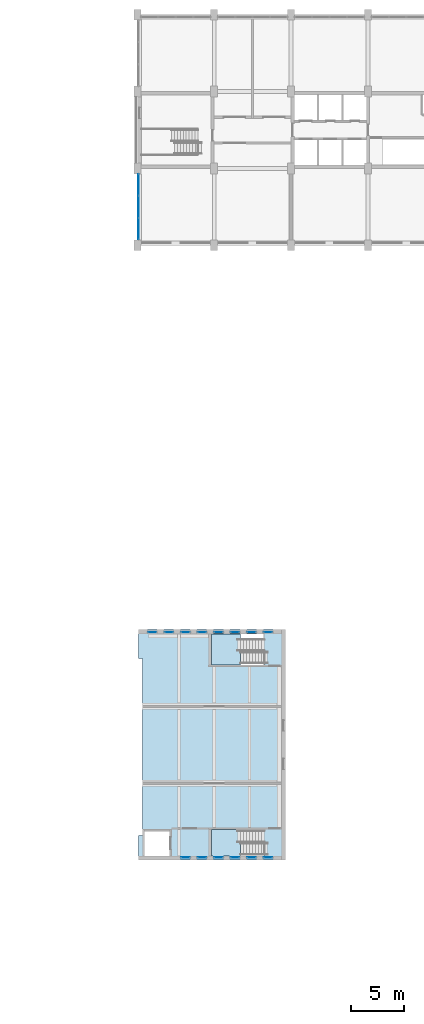
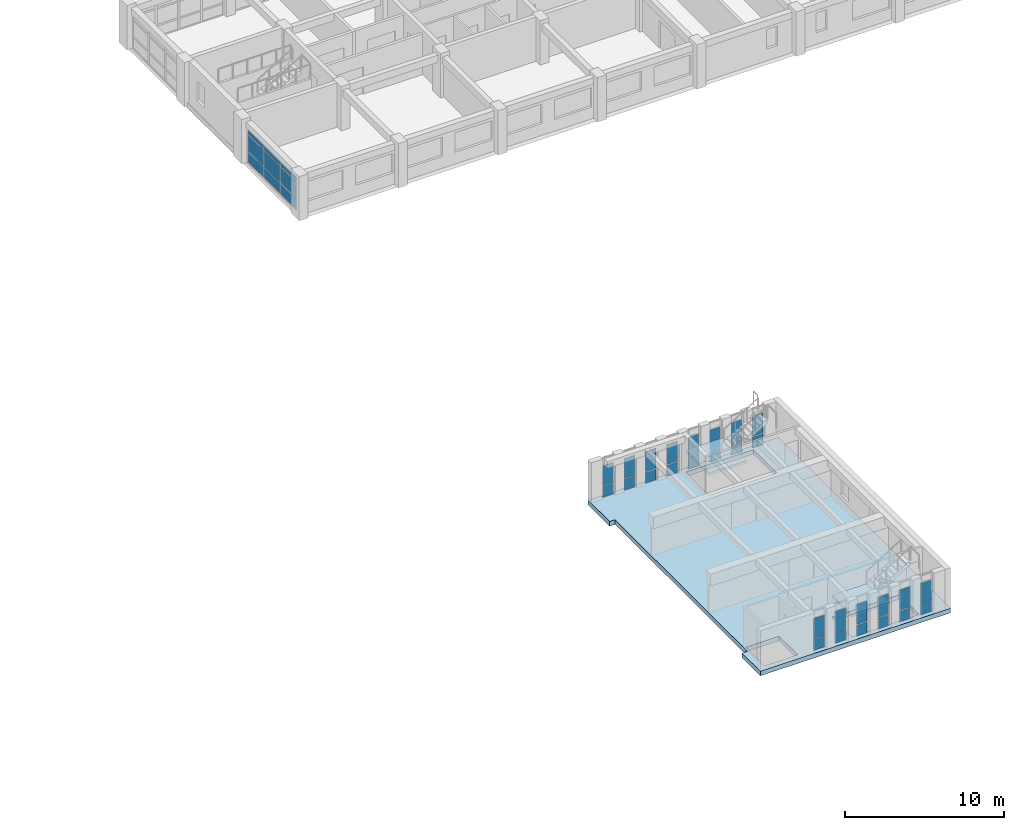
# One storey, part 11 of 19: 37 plates, 3 slabs, 17 elements without a shape of their own.
"""IFC4 building model written with IfcOpenShell, lengths in metres."""

from ifc_helpers import new_model, si_unit, direction, frame, origin, origin_2d, place, context, subcontext, project, spatial, polyline, rectangle, outline, extrude, material, layer, layer_set, type_object, element, aggregate, save


model = new_model("IFC4")

# Units and contexts
model_context = context("Model", 3, precision=1e-05, world=origin(), true_north=direction((0.0, 1.0)))
body_context = subcontext(model_context, "Body", "Model", "MODEL_VIEW")
ifc_project = project(units=[si_unit("LENGTHUNIT", "METRE"), si_unit("AREAUNIT", "SQUARE_METRE"), si_unit("VOLUMEUNIT", "CUBIC_METRE"), si_unit("PLANEANGLEUNIT", "RADIAN"), si_unit("MASSUNIT", "GRAM", prefix="KILO")], contexts=[model_context])

# Site, building, storey
site_placement = place(None, origin())
site = spatial("IfcSite", under=ifc_project, at=site_placement, CompositionType="ELEMENT")
building_placement = place(site_placement, origin())
building = spatial("IfcBuilding", under=site, at=building_placement, Name="Vermilion Court Aquatics Centre", CompositionType="ELEMENT")
storey_placement = place(building_placement, frame((0.0, 0.0, 19.89990234375)))
storey = spatial("IfcBuildingStorey", under=building, at=storey_placement, Name="L04", CompositionType="ELEMENT", Elevation=19.89990234375)

# Slab
ifc_material_1 = material(Name="Concrete 8000 psi", Category="concrete")
ifc_layer_1 = layer(ifc_material_1, 0.35009765625)
ifc_layer_set_1 = layer_set([ifc_layer_1], Name="Diving Tower floor slab 350")
slab_type_1 = type_object("IfcSlabType", Name="Diving Tower floor slab 350", PredefinedType="FLOOR", material=ifc_layer_set_1)
slab_1_placement = place(storey_placement, frame((0.0, 0.0, -0.349853515625)))
element("IfcSlab", 1, at=slab_1_placement, inside=storey, type_object=slab_type_1, Name="Diving Tower floor slab L04", PredefinedType="FLOOR", context=body_context, shape_type="SweptSolid", body=[
    extrude(outline(polyline([(144.110107421875, 36.0), (157.89990234375, 36.0), (157.89990234375, 57.60009765625), (144.110107421875, 57.60009765625), (144.110107421875, 54.89990234375), (144.5, 54.89990234375), (144.5, 38.300048828125), (144.110107421875, 38.300048828125), (144.110107421875, 36.0)]), holes=[polyline([(144.64990234375, 36.39990234375), (147.050048828125, 36.39990234375), (147.050048828125, 38.72509765625), (144.64990234375, 38.72509765625), (144.64990234375, 36.39990234375)]), polyline([(150.949951171875, 36.39990234375), (155.85009765625, 36.39990234375), (155.85009765625, 38.875), (150.949951171875, 38.875), (150.949951171875, 36.39990234375)]), polyline([(150.949951171875, 54.27490234375), (155.85009765625, 54.27490234375), (155.85009765625, 57.199951171875), (150.949951171875, 57.199951171875), (150.949951171875, 54.27490234375)])]), origin(), (0.0, 0.0, 1.0), 0.349853515625),
])

# Curtain wall, plates
ifc_material_2 = material(Name="Aluminium 6063-T5", Category="aluminium")
curtain_wall_type_1 = type_object("IfcCurtainWallType", Name="Diving Tower slot curtain wall 900 module", PredefinedType="NOTDEFINED", material=ifc_material_2)
curtain_wall_1_placement = place(storey_placement, origin())
curtain_wall_1 = element("IfcCurtainWall", 2, at=curtain_wall_1_placement, inside=storey, type_object=curtain_wall_type_1, Name="Diving Tower slot window north 1 L04", PredefinedType="NOTDEFINED")
ifc_material_3 = material(Name="Glazing", Category="glass")
ifc_layer_2 = layer(ifc_material_3, 0.02392578125)
ifc_layer_set_2 = layer_set([ifc_layer_2], Name="Diving Tower slot glazing panel 24")
plate_type_1 = type_object("IfcPlateType", Name="Diving Tower slot glazing panel 24", PredefinedType="CURTAIN_PANEL", material=ifc_layer_set_2)
plate_1_placement = place(storey_placement, frame((145.39990234375, 57.35009765625, 0.06005859375), z_axis=(0.0, 0.0, 1.0), x_axis=(1.0, 0.0, 0.0)))
plate_1 = element("IfcPlate", 3, at=plate_1_placement, type_object=plate_type_1, Name="UCW3 panel 1.1", PredefinedType="CURTAIN_PANEL", context=body_context, shape_type="SweptSolid", body=[
    extrude(rectangle(XDim=0.780029296875, YDim=0.028076171875, at=origin_2d()), origin(), (0.0, 0.0, 1.0), 0.81005859375),
])
plate_2_placement = place(storey_placement, frame((145.39990234375, 57.35009765625, 0.93017578125), z_axis=(0.0, 0.0, 1.0), x_axis=(1.0, 0.0, 0.0)))
plate_2 = element("IfcPlate", 4, at=plate_2_placement, type_object=plate_type_1, Name="UCW3 panel 1.2", PredefinedType="CURTAIN_PANEL", context=body_context, shape_type="SweptSolid", body=[
    extrude(rectangle(XDim=0.780029296875, YDim=0.028076171875, at=origin_2d()), origin(), (0.0, 0.0, 1.0), 1.5400390625),
])
aggregate(curtain_wall_1, [plate_1, plate_2])

curtain_wall_2_placement = place(storey_placement, origin())
curtain_wall_2 = element("IfcCurtainWall", 5, at=curtain_wall_2_placement, inside=storey, type_object=curtain_wall_type_1, Name="Diving Tower slot window north 2 L04", PredefinedType="NOTDEFINED")
plate_3_placement = place(storey_placement, frame((146.949951171875, 57.35009765625, 0.06005859375), z_axis=(0.0, 0.0, 1.0), x_axis=(1.0, 0.0, 0.0)))
plate_3 = element("IfcPlate", 6, at=plate_3_placement, type_object=plate_type_1, Name="UCW3 panel 1.1", PredefinedType="CURTAIN_PANEL", context=body_context, shape_type="SweptSolid", body=[
    extrude(rectangle(XDim=0.780029296875, YDim=0.028076171875, at=origin_2d()), origin(), (0.0, 0.0, 1.0), 0.81005859375),
])
plate_4_placement = place(storey_placement, frame((146.949951171875, 57.35009765625, 0.93017578125), z_axis=(0.0, 0.0, 1.0), x_axis=(1.0, 0.0, 0.0)))
plate_4 = element("IfcPlate", 7, at=plate_4_placement, type_object=plate_type_1, Name="UCW3 panel 1.2", PredefinedType="CURTAIN_PANEL", context=body_context, shape_type="SweptSolid", body=[
    extrude(rectangle(XDim=0.780029296875, YDim=0.028076171875, at=origin_2d()), origin(), (0.0, 0.0, 1.0), 1.5400390625),
])
aggregate(curtain_wall_2, [plate_3, plate_4])

curtain_wall_3_placement = place(storey_placement, origin())
curtain_wall_3 = element("IfcCurtainWall", 8, at=curtain_wall_3_placement, inside=storey, type_object=curtain_wall_type_1, Name="Diving Tower slot window north 3 L04", PredefinedType="NOTDEFINED")
plate_5_placement = place(storey_placement, frame((148.5, 57.35009765625, 0.06005859375), z_axis=(0.0, 0.0, 1.0), x_axis=(1.0, 0.0, 0.0)))
plate_5 = element("IfcPlate", 9, at=plate_5_placement, type_object=plate_type_1, Name="UCW3 panel 1.1", PredefinedType="CURTAIN_PANEL", context=body_context, shape_type="SweptSolid", body=[
    extrude(rectangle(XDim=0.780029296875, YDim=0.028076171875, at=origin_2d()), origin(), (0.0, 0.0, 1.0), 0.81005859375),
])
plate_6_placement = place(storey_placement, frame((148.5, 57.35009765625, 0.93017578125), z_axis=(0.0, 0.0, 1.0), x_axis=(1.0, 0.0, 0.0)))
plate_6 = element("IfcPlate", 10, at=plate_6_placement, type_object=plate_type_1, Name="UCW3 panel 1.2", PredefinedType="CURTAIN_PANEL", context=body_context, shape_type="SweptSolid", body=[
    extrude(rectangle(XDim=0.780029296875, YDim=0.028076171875, at=origin_2d()), origin(), (0.0, 0.0, 1.0), 1.5400390625),
])
aggregate(curtain_wall_3, [plate_5, plate_6])

curtain_wall_4_placement = place(storey_placement, origin())
curtain_wall_4 = element("IfcCurtainWall", 11, at=curtain_wall_4_placement, inside=storey, type_object=curtain_wall_type_1, Name="Diving Tower slot window north 4 L04", PredefinedType="NOTDEFINED")
plate_7_placement = place(storey_placement, frame((150.050048828125, 57.35009765625, 0.06005859375), z_axis=(0.0, 0.0, 1.0), x_axis=(1.0, 0.0, 0.0)))
plate_7 = element("IfcPlate", 12, at=plate_7_placement, type_object=plate_type_1, Name="UCW3 panel 1.1", PredefinedType="CURTAIN_PANEL", context=body_context, shape_type="SweptSolid", body=[
    extrude(rectangle(XDim=0.780029296875, YDim=0.028076171875, at=origin_2d()), origin(), (0.0, 0.0, 1.0), 0.81005859375),
])
plate_8_placement = place(storey_placement, frame((150.050048828125, 57.35009765625, 0.93017578125), z_axis=(0.0, 0.0, 1.0), x_axis=(1.0, 0.0, 0.0)))
plate_8 = element("IfcPlate", 13, at=plate_8_placement, type_object=plate_type_1, Name="UCW3 panel 1.2", PredefinedType="CURTAIN_PANEL", context=body_context, shape_type="SweptSolid", body=[
    extrude(rectangle(XDim=0.780029296875, YDim=0.028076171875, at=origin_2d()), origin(), (0.0, 0.0, 1.0), 1.5400390625),
])
aggregate(curtain_wall_4, [plate_7, plate_8])

curtain_wall_5_placement = place(storey_placement, origin())
curtain_wall_5 = element("IfcCurtainWall", 14, at=curtain_wall_5_placement, inside=storey, type_object=curtain_wall_type_1, Name="Diving Tower slot window north 5 L04", PredefinedType="NOTDEFINED")
plate_9_placement = place(storey_placement, frame((151.60009765625, 57.35009765625, 0.06005859375), z_axis=(0.0, 0.0, 1.0), x_axis=(1.0, 0.0, 0.0)))
plate_9 = element("IfcPlate", 15, at=plate_9_placement, type_object=plate_type_1, Name="UCW3 panel 1.1", PredefinedType="CURTAIN_PANEL", context=body_context, shape_type="SweptSolid", body=[
    extrude(rectangle(XDim=0.780029296875, YDim=0.028076171875, at=origin_2d()), origin(), (0.0, 0.0, 1.0), 0.81005859375),
])
plate_10_placement = place(storey_placement, frame((151.60009765625, 57.35009765625, 0.93017578125), z_axis=(0.0, 0.0, 1.0), x_axis=(1.0, 0.0, 0.0)))
plate_10 = element("IfcPlate", 16, at=plate_10_placement, type_object=plate_type_1, Name="UCW3 panel 1.2", PredefinedType="CURTAIN_PANEL", context=body_context, shape_type="SweptSolid", body=[
    extrude(rectangle(XDim=0.780029296875, YDim=0.028076171875, at=origin_2d()), origin(), (0.0, 0.0, 1.0), 1.5400390625),
])
aggregate(curtain_wall_5, [plate_9, plate_10])

curtain_wall_6_placement = place(storey_placement, origin())
curtain_wall_6 = element("IfcCurtainWall", 17, at=curtain_wall_6_placement, inside=storey, type_object=curtain_wall_type_1, Name="Diving Tower slot window north 6 L04", PredefinedType="NOTDEFINED")
plate_11_placement = place(storey_placement, frame((153.14990234375, 57.35009765625, 0.06005859375), z_axis=(0.0, 0.0, 1.0), x_axis=(1.0, 0.0, 0.0)))
plate_11 = element("IfcPlate", 18, at=plate_11_placement, type_object=plate_type_1, Name="UCW3 panel 1.1", PredefinedType="CURTAIN_PANEL", context=body_context, shape_type="SweptSolid", body=[
    extrude(rectangle(XDim=0.780029296875, YDim=0.028076171875, at=origin_2d()), origin(), (0.0, 0.0, 1.0), 0.81005859375),
])
plate_12_placement = place(storey_placement, frame((153.14990234375, 57.35009765625, 0.93017578125), z_axis=(0.0, 0.0, 1.0), x_axis=(1.0, 0.0, 0.0)))
plate_12 = element("IfcPlate", 19, at=plate_12_placement, type_object=plate_type_1, Name="UCW3 panel 1.2", PredefinedType="CURTAIN_PANEL", context=body_context, shape_type="SweptSolid", body=[
    extrude(rectangle(XDim=0.780029296875, YDim=0.028076171875, at=origin_2d()), origin(), (0.0, 0.0, 1.0), 1.5400390625),
])
aggregate(curtain_wall_6, [plate_11, plate_12])

curtain_wall_7_placement = place(storey_placement, origin())
curtain_wall_7 = element("IfcCurtainWall", 20, at=curtain_wall_7_placement, inside=storey, type_object=curtain_wall_type_1, Name="Diving Tower slot window north 7 L04", PredefinedType="NOTDEFINED")
plate_13_placement = place(storey_placement, frame((154.699951171875, 57.35009765625, 0.06005859375), z_axis=(0.0, 0.0, 1.0), x_axis=(1.0, 0.0, 0.0)))
plate_13 = element("IfcPlate", 21, at=plate_13_placement, type_object=plate_type_1, Name="UCW3 panel 1.1", PredefinedType="CURTAIN_PANEL", context=body_context, shape_type="SweptSolid", body=[
    extrude(rectangle(XDim=0.780029296875, YDim=0.028076171875, at=origin_2d()), origin(), (0.0, 0.0, 1.0), 0.81005859375),
])
plate_14_placement = place(storey_placement, frame((154.699951171875, 57.35009765625, 0.93017578125), z_axis=(0.0, 0.0, 1.0), x_axis=(1.0, 0.0, 0.0)))
plate_14 = element("IfcPlate", 22, at=plate_14_placement, type_object=plate_type_1, Name="UCW3 panel 1.2", PredefinedType="CURTAIN_PANEL", context=body_context, shape_type="SweptSolid", body=[
    extrude(rectangle(XDim=0.780029296875, YDim=0.028076171875, at=origin_2d()), origin(), (0.0, 0.0, 1.0), 1.5400390625),
])
aggregate(curtain_wall_7, [plate_13, plate_14])

curtain_wall_8_placement = place(storey_placement, origin())
curtain_wall_8 = element("IfcCurtainWall", 23, at=curtain_wall_8_placement, inside=storey, type_object=curtain_wall_type_1, Name="Diving Tower slot window north 8 L04", PredefinedType="NOTDEFINED")
plate_15_placement = place(storey_placement, frame((156.25, 57.35009765625, 0.06005859375), z_axis=(0.0, 0.0, 1.0), x_axis=(1.0, 0.0, 0.0)))
plate_15 = element("IfcPlate", 24, at=plate_15_placement, type_object=plate_type_1, Name="UCW3 panel 1.1", PredefinedType="CURTAIN_PANEL", context=body_context, shape_type="SweptSolid", body=[
    extrude(rectangle(XDim=0.780029296875, YDim=0.028076171875, at=origin_2d()), origin(), (0.0, 0.0, 1.0), 0.81005859375),
])
plate_16_placement = place(storey_placement, frame((156.25, 57.35009765625, 0.93017578125), z_axis=(0.0, 0.0, 1.0), x_axis=(1.0, 0.0, 0.0)))
plate_16 = element("IfcPlate", 25, at=plate_16_placement, type_object=plate_type_1, Name="UCW3 panel 1.2", PredefinedType="CURTAIN_PANEL", context=body_context, shape_type="SweptSolid", body=[
    extrude(rectangle(XDim=0.780029296875, YDim=0.028076171875, at=origin_2d()), origin(), (0.0, 0.0, 1.0), 1.5400390625),
])
aggregate(curtain_wall_8, [plate_15, plate_16])

curtain_wall_9_placement = place(storey_placement, origin())
curtain_wall_9 = element("IfcCurtainWall", 26, at=curtain_wall_9_placement, inside=storey, type_object=curtain_wall_type_1, Name="Diving Tower slot window south 1 L04", PredefinedType="NOTDEFINED")
plate_17_placement = place(storey_placement, frame((148.5, 36.25, 0.06005859375), z_axis=(0.0, 0.0, 1.0), x_axis=(1.0, 0.0, 0.0)))
plate_17 = element("IfcPlate", 27, at=plate_17_placement, type_object=plate_type_1, Name="UCW3 panel 1.1", PredefinedType="CURTAIN_PANEL", context=body_context, shape_type="SweptSolid", body=[
    extrude(rectangle(XDim=0.780029296875, YDim=0.028076171875, at=origin_2d()), origin(), (0.0, 0.0, 1.0), 0.81005859375),
])
plate_18_placement = place(storey_placement, frame((148.5, 36.25, 0.93017578125), z_axis=(0.0, 0.0, 1.0), x_axis=(1.0, 0.0, 0.0)))
plate_18 = element("IfcPlate", 28, at=plate_18_placement, type_object=plate_type_1, Name="UCW3 panel 1.2", PredefinedType="CURTAIN_PANEL", context=body_context, shape_type="SweptSolid", body=[
    extrude(rectangle(XDim=0.780029296875, YDim=0.028076171875, at=origin_2d()), origin(), (0.0, 0.0, 1.0), 1.5400390625),
])
aggregate(curtain_wall_9, [plate_17, plate_18])

curtain_wall_10_placement = place(storey_placement, origin())
curtain_wall_10 = element("IfcCurtainWall", 29, at=curtain_wall_10_placement, inside=storey, type_object=curtain_wall_type_1, Name="Diving Tower slot window south 2 L04", PredefinedType="NOTDEFINED")
plate_19_placement = place(storey_placement, frame((150.050048828125, 36.25, 0.06005859375), z_axis=(0.0, 0.0, 1.0), x_axis=(1.0, 0.0, 0.0)))
plate_19 = element("IfcPlate", 30, at=plate_19_placement, type_object=plate_type_1, Name="UCW3 panel 1.1", PredefinedType="CURTAIN_PANEL", context=body_context, shape_type="SweptSolid", body=[
    extrude(rectangle(XDim=0.780029296875, YDim=0.028076171875, at=origin_2d()), origin(), (0.0, 0.0, 1.0), 0.81005859375),
])
plate_20_placement = place(storey_placement, frame((150.050048828125, 36.25, 0.93017578125), z_axis=(0.0, 0.0, 1.0), x_axis=(1.0, 0.0, 0.0)))
plate_20 = element("IfcPlate", 31, at=plate_20_placement, type_object=plate_type_1, Name="UCW3 panel 1.2", PredefinedType="CURTAIN_PANEL", context=body_context, shape_type="SweptSolid", body=[
    extrude(rectangle(XDim=0.780029296875, YDim=0.028076171875, at=origin_2d()), origin(), (0.0, 0.0, 1.0), 1.5400390625),
])
aggregate(curtain_wall_10, [plate_19, plate_20])

curtain_wall_11_placement = place(storey_placement, origin())
curtain_wall_11 = element("IfcCurtainWall", 32, at=curtain_wall_11_placement, inside=storey, type_object=curtain_wall_type_1, Name="Diving Tower slot window south 3 L04", PredefinedType="NOTDEFINED")
plate_21_placement = place(storey_placement, frame((151.60009765625, 36.25, 0.06005859375), z_axis=(0.0, 0.0, 1.0), x_axis=(1.0, 0.0, 0.0)))
plate_21 = element("IfcPlate", 33, at=plate_21_placement, type_object=plate_type_1, Name="UCW3 panel 1.1", PredefinedType="CURTAIN_PANEL", context=body_context, shape_type="SweptSolid", body=[
    extrude(rectangle(XDim=0.780029296875, YDim=0.028076171875, at=origin_2d()), origin(), (0.0, 0.0, 1.0), 0.81005859375),
])
plate_22_placement = place(storey_placement, frame((151.60009765625, 36.25, 0.93017578125), z_axis=(0.0, 0.0, 1.0), x_axis=(1.0, 0.0, 0.0)))
plate_22 = element("IfcPlate", 34, at=plate_22_placement, type_object=plate_type_1, Name="UCW3 panel 1.2", PredefinedType="CURTAIN_PANEL", context=body_context, shape_type="SweptSolid", body=[
    extrude(rectangle(XDim=0.780029296875, YDim=0.028076171875, at=origin_2d()), origin(), (0.0, 0.0, 1.0), 1.5400390625),
])
aggregate(curtain_wall_11, [plate_21, plate_22])

curtain_wall_12_placement = place(storey_placement, origin())
curtain_wall_12 = element("IfcCurtainWall", 35, at=curtain_wall_12_placement, inside=storey, type_object=curtain_wall_type_1, Name="Diving Tower slot window south 4 L04", PredefinedType="NOTDEFINED")
plate_23_placement = place(storey_placement, frame((153.14990234375, 36.25, 0.06005859375), z_axis=(0.0, 0.0, 1.0), x_axis=(1.0, 0.0, 0.0)))
plate_23 = element("IfcPlate", 36, at=plate_23_placement, type_object=plate_type_1, Name="UCW3 panel 1.1", PredefinedType="CURTAIN_PANEL", context=body_context, shape_type="SweptSolid", body=[
    extrude(rectangle(XDim=0.780029296875, YDim=0.028076171875, at=origin_2d()), origin(), (0.0, 0.0, 1.0), 0.81005859375),
])
plate_24_placement = place(storey_placement, frame((153.14990234375, 36.25, 0.93017578125), z_axis=(0.0, 0.0, 1.0), x_axis=(1.0, 0.0, 0.0)))
plate_24 = element("IfcPlate", 37, at=plate_24_placement, type_object=plate_type_1, Name="UCW3 panel 1.2", PredefinedType="CURTAIN_PANEL", context=body_context, shape_type="SweptSolid", body=[
    extrude(rectangle(XDim=0.780029296875, YDim=0.028076171875, at=origin_2d()), origin(), (0.0, 0.0, 1.0), 1.5400390625),
])
aggregate(curtain_wall_12, [plate_23, plate_24])

curtain_wall_13_placement = place(storey_placement, origin())
curtain_wall_13 = element("IfcCurtainWall", 38, at=curtain_wall_13_placement, inside=storey, type_object=curtain_wall_type_1, Name="Diving Tower slot window south 5 L04", PredefinedType="NOTDEFINED")
plate_25_placement = place(storey_placement, frame((154.699951171875, 36.25, 0.06005859375), z_axis=(0.0, 0.0, 1.0), x_axis=(1.0, 0.0, 0.0)))
plate_25 = element("IfcPlate", 39, at=plate_25_placement, type_object=plate_type_1, Name="UCW3 panel 1.1", PredefinedType="CURTAIN_PANEL", context=body_context, shape_type="SweptSolid", body=[
    extrude(rectangle(XDim=0.780029296875, YDim=0.028076171875, at=origin_2d()), origin(), (0.0, 0.0, 1.0), 0.81005859375),
])
plate_26_placement = place(storey_placement, frame((154.699951171875, 36.25, 0.93017578125), z_axis=(0.0, 0.0, 1.0), x_axis=(1.0, 0.0, 0.0)))
plate_26 = element("IfcPlate", 40, at=plate_26_placement, type_object=plate_type_1, Name="UCW3 panel 1.2", PredefinedType="CURTAIN_PANEL", context=body_context, shape_type="SweptSolid", body=[
    extrude(rectangle(XDim=0.780029296875, YDim=0.028076171875, at=origin_2d()), origin(), (0.0, 0.0, 1.0), 1.5400390625),
])
aggregate(curtain_wall_13, [plate_25, plate_26])

curtain_wall_14_placement = place(storey_placement, origin())
curtain_wall_14 = element("IfcCurtainWall", 41, at=curtain_wall_14_placement, inside=storey, type_object=curtain_wall_type_1, Name="Diving Tower slot window south 6 L04", PredefinedType="NOTDEFINED")
plate_27_placement = place(storey_placement, frame((156.25, 36.25, 0.06005859375), z_axis=(0.0, 0.0, 1.0), x_axis=(1.0, 0.0, 0.0)))
plate_27 = element("IfcPlate", 42, at=plate_27_placement, type_object=plate_type_1, Name="UCW3 panel 1.1", PredefinedType="CURTAIN_PANEL", context=body_context, shape_type="SweptSolid", body=[
    extrude(rectangle(XDim=0.780029296875, YDim=0.028076171875, at=origin_2d()), origin(), (0.0, 0.0, 1.0), 0.81005859375),
])
plate_28_placement = place(storey_placement, frame((156.25, 36.25, 0.93017578125), z_axis=(0.0, 0.0, 1.0), x_axis=(1.0, 0.0, 0.0)))
plate_28 = element("IfcPlate", 43, at=plate_28_placement, type_object=plate_type_1, Name="UCW3 panel 1.2", PredefinedType="CURTAIN_PANEL", context=body_context, shape_type="SweptSolid", body=[
    extrude(rectangle(XDim=0.780029296875, YDim=0.028076171875, at=origin_2d()), origin(), (0.0, 0.0, 1.0), 1.5400390625),
])
aggregate(curtain_wall_14, [plate_27, plate_28])

# Stair, slab
ifc_material_4 = material(Name="Concrete 5000 psi", Category="concrete")
stair_type = type_object("IfcStairType", Name="Diving Tower stair 1130", PredefinedType="HALF_TURN_STAIR", material=ifc_material_4)
stair_1_placement = place(storey_placement, origin())
stair_1 = element("IfcStair", 44, at=stair_1_placement, inside=storey, type_object=stair_type, Name="Exit stair ST-D1 L04", PredefinedType="HALF_TURN_STAIR")
ifc_material_5 = material(Name="Concrete 5000 psi", Category="concrete")
ifc_layer_3 = layer(ifc_material_5, 0.199951171875)
ifc_layer_set_3 = layer_set([ifc_layer_3], Name="Diving Tower stair landing 200")
slab_type_2 = type_object("IfcSlabType", Name="Diving Tower stair landing 200", PredefinedType="LANDING", material=ifc_layer_set_3)
slab_2_placement = place(storey_placement, frame((0.0, 0.0, 1.5)))
slab_2 = element("IfcSlab", 45, at=slab_2_placement, type_object=slab_type_2, Name="ST-D1 landing 1", PredefinedType="LANDING", context=body_context, shape_type="SweptSolid", body=[
    extrude(outline(polyline([(150.949951171875, 36.39990234375), (153.679931640625, 36.39990234375), (153.679931640625, 38.875), (150.949951171875, 38.875), (150.949951171875, 36.39990234375)])), origin(), (0.0, 0.0, 1.0), 0.2001953125),
])
aggregate(stair_1, [slab_2])

stair_2_placement = place(storey_placement, origin())
stair_2 = element("IfcStair", 46, at=stair_2_placement, inside=storey, type_object=stair_type, Name="Exit stair ST-D2 L04", PredefinedType="HALF_TURN_STAIR")
slab_3_placement = place(storey_placement, frame((0.0, 0.0, 1.5)))
slab_3 = element("IfcSlab", 47, at=slab_3_placement, type_object=slab_type_2, Name="ST-D2 landing 1", PredefinedType="LANDING", context=body_context, shape_type="SweptSolid", body=[
    extrude(outline(polyline([(150.949951171875, 54.27490234375), (153.679931640625, 54.27490234375), (153.679931640625, 57.199951171875), (150.949951171875, 57.199951171875), (150.949951171875, 54.27490234375)])), origin(), (0.0, 0.0, 1.0), 0.2001953125),
])
aggregate(stair_2, [slab_3])

# Curtain wall, plates
ifc_material_6 = material(Name="Aluminium 6063-T5", Category="aluminium")
curtain_wall_type_2 = type_object("IfcCurtainWallType", Name="North block glazed bay curtain wall 1800 module", PredefinedType="NOTDEFINED", material=ifc_material_6)
curtain_wall_15_placement = place(storey_placement, origin())
curtain_wall_15 = element("IfcCurtainWall", 48, at=curtain_wall_15_placement, inside=storey, type_object=curtain_wall_type_2, Name="West glazed bay 1 L04", PredefinedType="NOTDEFINED")
ifc_material_7 = material(Name="Glazing", Category="glass")
ifc_layer_4 = layer(ifc_material_7, 0.028076171875)
ifc_layer_set_4 = layer_set([ifc_layer_4], Name="North block curtain wall glazing panel 28")
plate_type_2 = type_object("IfcPlateType", Name="North block curtain wall glazing panel 28", PredefinedType="CURTAIN_PANEL", material=ifc_layer_set_4)
plate_29_placement = place(storey_placement, frame((144.10009765625, 95.1484375, 0.06005859375), z_axis=(0.0, 0.0, 1.0), x_axis=(0.0, 1.0, 0.0)))
plate_29 = element("IfcPlate", 49, at=plate_29_placement, type_object=plate_type_2, Name="UCW1 panel 1.1", PredefinedType="CURTAIN_PANEL", context=body_context, shape_type="SweptSolid", body=[
    extrude(rectangle(XDim=1.9765625, YDim=0.028076171875, at=origin_2d()), origin(), (0.0, 0.0, 1.0), 0.81005859375),
])
plate_30_placement = place(storey_placement, frame((144.10009765625, 95.1484375, 0.93017578125), z_axis=(0.0, 0.0, 1.0), x_axis=(0.0, 1.0, 0.0)))
plate_30 = element("IfcPlate", 50, at=plate_30_placement, type_object=plate_type_2, Name="UCW1 panel 1.2", PredefinedType="CURTAIN_PANEL", context=body_context, shape_type="SweptSolid", body=[
    extrude(rectangle(XDim=1.9765625, YDim=0.028076171875, at=origin_2d()), origin(), (0.0, 0.0, 1.0), 1.239990234375),
])
plate_31_placement = place(storey_placement, frame((144.10009765625, 95.1484375, 2.22998046875), z_axis=(0.0, 0.0, 1.0), x_axis=(0.0, 1.0, 0.0)))
plate_31 = element("IfcPlate", 51, at=plate_31_placement, type_object=plate_type_2, Name="UCW1 panel 1.3", PredefinedType="CURTAIN_PANEL", context=body_context, shape_type="SweptSolid", body=[
    extrude(rectangle(XDim=1.9765625, YDim=0.028076171875, at=origin_2d()), origin(), (0.0, 0.0, 1.0), 0.31005859375),
])
plate_32_placement = place(storey_placement, frame((144.10009765625, 97.199951171875, 0.06005859375), z_axis=(0.0, 0.0, 1.0), x_axis=(0.0, 1.0, 0.0)))
plate_32 = element("IfcPlate", 52, at=plate_32_placement, type_object=plate_type_2, Name="UCW1 panel 2.1", PredefinedType="CURTAIN_PANEL", context=body_context, shape_type="SweptSolid", body=[
    extrude(rectangle(XDim=2.006591796875, YDim=0.028076171875, at=origin_2d()), origin(), (0.0, 0.0, 1.0), 0.81005859375),
])
plate_33_placement = place(storey_placement, frame((144.10009765625, 97.199951171875, 0.93017578125), z_axis=(0.0, 0.0, 1.0), x_axis=(0.0, 1.0, 0.0)))
plate_33 = element("IfcPlate", 53, at=plate_33_placement, type_object=plate_type_2, Name="UCW1 panel 2.2", PredefinedType="CURTAIN_PANEL", context=body_context, shape_type="SweptSolid", body=[
    extrude(rectangle(XDim=2.006591796875, YDim=0.028076171875, at=origin_2d()), origin(), (0.0, 0.0, 1.0), 1.239990234375),
])
plate_34_placement = place(storey_placement, frame((144.10009765625, 97.199951171875, 2.22998046875), z_axis=(0.0, 0.0, 1.0), x_axis=(0.0, 1.0, 0.0)))
plate_34 = element("IfcPlate", 54, at=plate_34_placement, type_object=plate_type_2, Name="UCW1 panel 2.3", PredefinedType="CURTAIN_PANEL", context=body_context, shape_type="SweptSolid", body=[
    extrude(rectangle(XDim=2.006591796875, YDim=0.028076171875, at=origin_2d()), origin(), (0.0, 0.0, 1.0), 0.31005859375),
])
plate_35_placement = place(storey_placement, frame((144.10009765625, 99.251708984375, 0.06005859375), z_axis=(0.0, 0.0, 1.0), x_axis=(0.0, 1.0, 0.0)))
plate_35 = element("IfcPlate", 55, at=plate_35_placement, type_object=plate_type_2, Name="UCW1 panel 3.1", PredefinedType="CURTAIN_PANEL", context=body_context, shape_type="SweptSolid", body=[
    extrude(rectangle(XDim=1.9765625, YDim=0.028076171875, at=origin_2d()), origin(), (0.0, 0.0, 1.0), 0.81005859375),
])
plate_36_placement = place(storey_placement, frame((144.10009765625, 99.251708984375, 0.93017578125), z_axis=(0.0, 0.0, 1.0), x_axis=(0.0, 1.0, 0.0)))
plate_36 = element("IfcPlate", 56, at=plate_36_placement, type_object=plate_type_2, Name="UCW1 panel 3.2", PredefinedType="CURTAIN_PANEL", context=body_context, shape_type="SweptSolid", body=[
    extrude(rectangle(XDim=1.9765625, YDim=0.028076171875, at=origin_2d()), origin(), (0.0, 0.0, 1.0), 1.239990234375),
])
plate_37_placement = place(storey_placement, frame((144.10009765625, 99.251708984375, 2.22998046875), z_axis=(0.0, 0.0, 1.0), x_axis=(0.0, 1.0, 0.0)))
plate_37 = element("IfcPlate", 57, at=plate_37_placement, type_object=plate_type_2, Name="UCW1 panel 3.3", PredefinedType="CURTAIN_PANEL", context=body_context, shape_type="SweptSolid", body=[
    extrude(rectangle(XDim=1.9765625, YDim=0.028076171875, at=origin_2d()), origin(), (0.0, 0.0, 1.0), 0.31005859375),
])
aggregate(curtain_wall_15, [plate_29, plate_30, plate_31, plate_32, plate_33, plate_34, plate_35, plate_36, plate_37])

save(model, "model.ifc")
